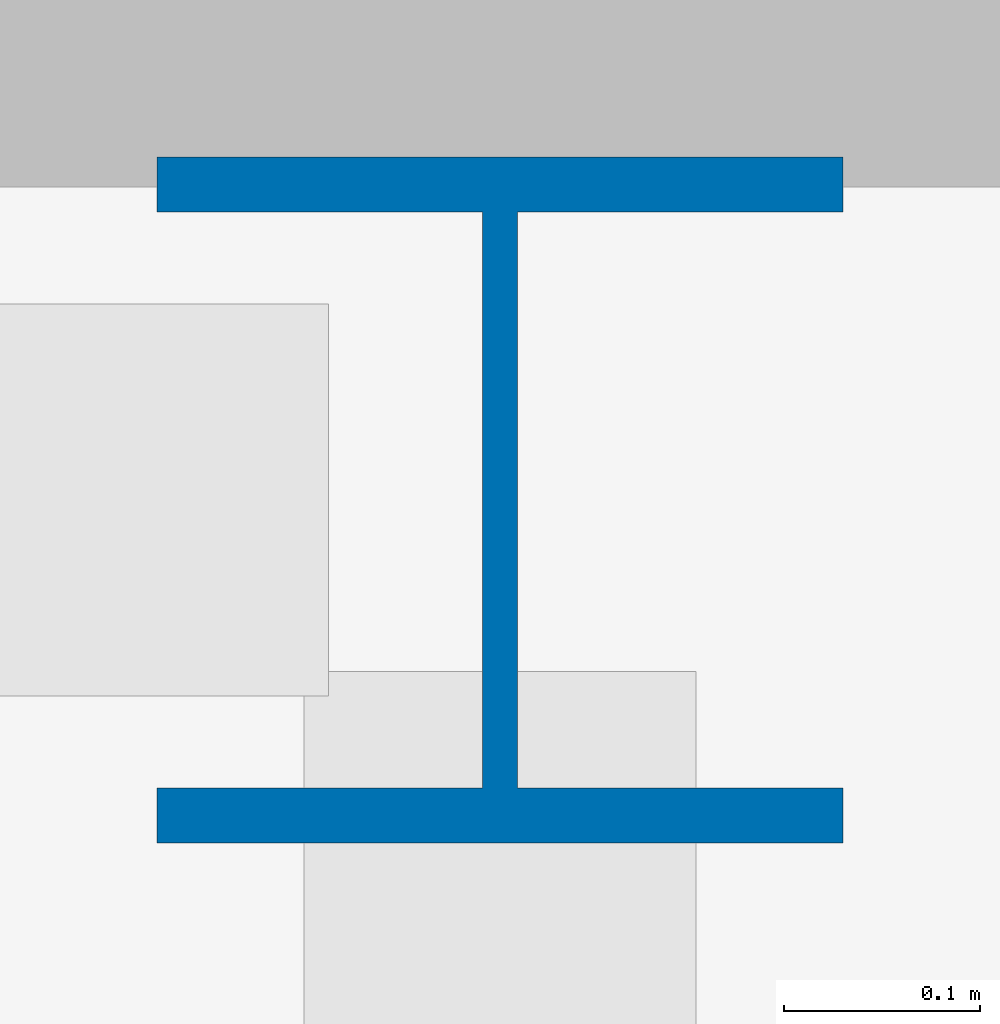
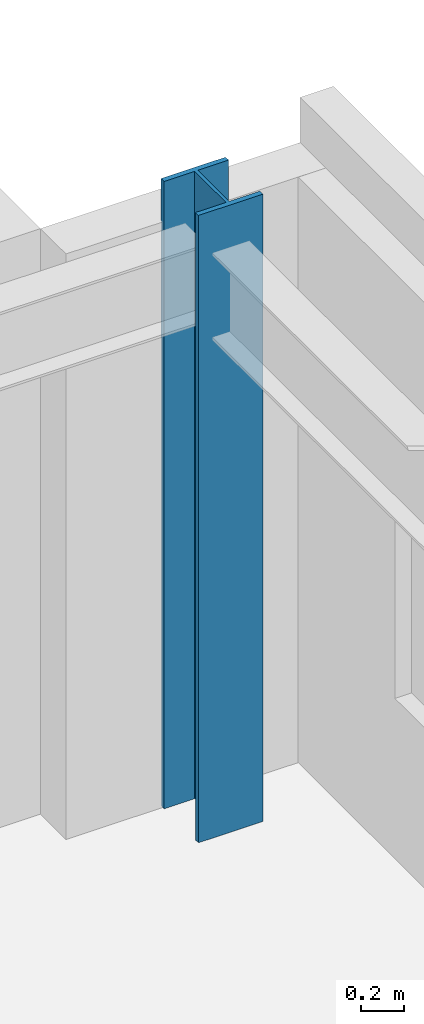
# One storey, part 4 of 19: 1 column.
"""IFC4 building model written with IfcOpenShell, lengths in metres."""

from ifc_helpers import new_model, si_unit, direction, frame, origin, origin_2d, place, context, subcontext, project, spatial, i_section, extrude, source, transform, mapped, material, material_profile, profile_set, type_object, element, save


model = new_model("IFC4")

# Units and contexts
model_context = context("Model", 3, precision=1e-05, world=origin(), true_north=direction((0.0, 1.0)))
body_context = subcontext(model_context, "Body", "Model", "MODEL_VIEW")
ifc_project = project(units=[si_unit("LENGTHUNIT", "METRE"), si_unit("AREAUNIT", "SQUARE_METRE"), si_unit("VOLUMEUNIT", "CUBIC_METRE"), si_unit("PLANEANGLEUNIT", "RADIAN"), si_unit("MASSUNIT", "GRAM", prefix="KILO")], contexts=[model_context])

# Site, building, storey
site_placement = place(None, origin())
site = spatial("IfcSite", under=ifc_project, at=site_placement, CompositionType="ELEMENT")
building_placement = place(site_placement, origin())
building = spatial("IfcBuilding", under=site, at=building_placement, Name="Trelvane Seafront Commons", CompositionType="ELEMENT")
storey_placement = place(building_placement, frame((0.0, 0.0, 215.699951171875)))
storey = spatial("IfcBuildingStorey", under=building, at=storey_placement, Name="L56", CompositionType="ELEMENT", Elevation=215.699951171875)

# Column
ifc_material = material(Name="Steel SM355 (S355)", Category="steel")
ifc_material_profile = material_profile(ifc_material, i_section(OverallWidth=0.35009765625, OverallDepth=0.35009765625, WebThickness=0.01806640625, FlangeThickness=0.028076171875, at=origin_2d()), Name="HD-350x350x18x28")
ifc_profile_set = profile_set([ifc_material_profile], Name="Steel SM355 (S355)")
column_type = type_object("IfcColumnType", Name="STR-COL-HD350", PredefinedType="COLUMN", material=ifc_profile_set)
shared_shape = source(origin(), body_context, "Body", "SweptSolid", [
    extrude(i_section(OverallWidth=0.35009765625, OverallDepth=0.35009765625, WebThickness=0.01806640625, FlangeThickness=0.028076171875, at=origin_2d()), origin(), (0.0, 0.0, 1.0), 3.60009765625),
])
column_placement = place(storey_placement, frame((65.60009765625, 45.10009765625, 0.0), z_axis=(0.0, 0.0, 1.0), x_axis=(1.0, 0.0, 0.0)))
element("IfcColumn", 1, at=column_placement, inside=storey, type_object=column_type, Name="L56 Column TC-CN65.6", PredefinedType="COLUMN", context=body_context, shape_type="MappedRepresentation", body=[
    mapped(shared_shape, transform((0.0, 0.0, 0.0), x_axis=(1.0, 0.0, 0.0), y_axis=(0.0, 1.0, 0.0), z_axis=(0.0, 0.0, 1.0), scale=1.0)),
])

save(model, "model.ifc")
